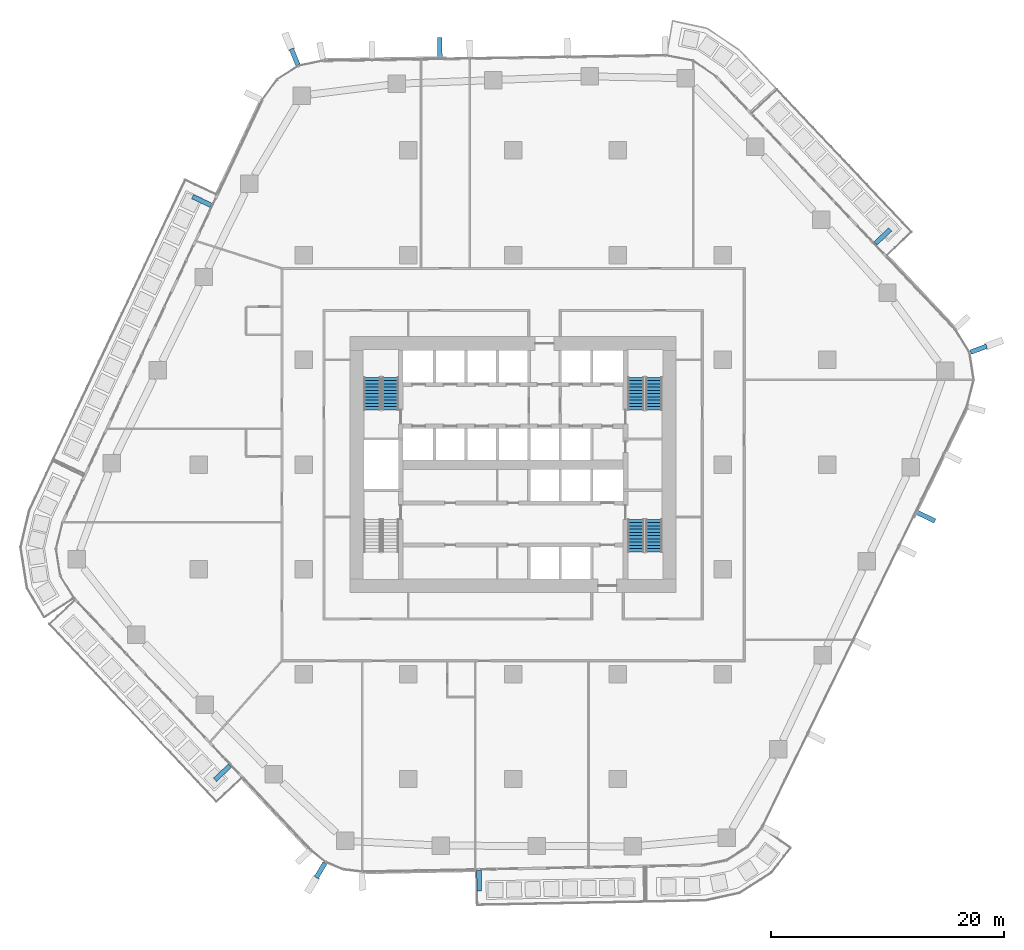
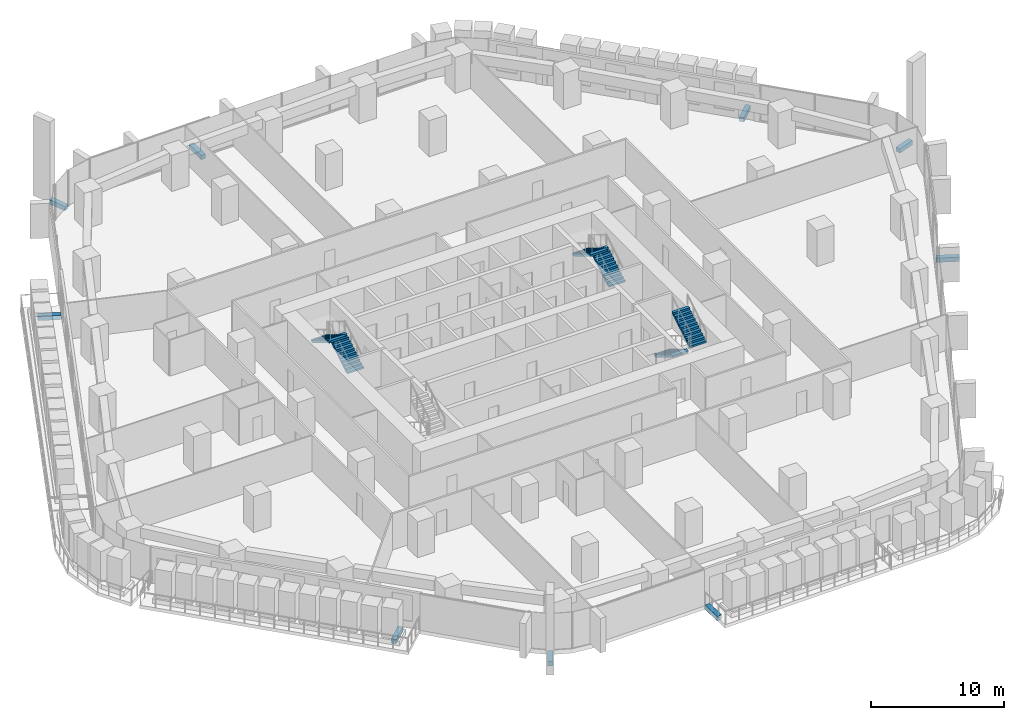
# One storey, part 18 of 25: 9 discrete accessories, 6 stair flights, 3 elements without a shape of their own.
"""IFC4 building model written with IfcOpenShell, lengths in metres."""

from ifc_helpers import new_model, si_unit, direction, frame, origin, origin_2d, place, context, subcontext, project, spatial, polyline, rectangle, outline, extrude, material, layer, layer_set, type_object, element, aggregate, save


model = new_model("IFC4")

# Units and contexts
model_context = context("Model", 3, precision=1e-05, world=origin(), true_north=direction((0.0, 1.0)))
body_context = subcontext(model_context, "Body", "Model", "MODEL_VIEW")
ifc_project = project(units=[si_unit("LENGTHUNIT", "METRE"), si_unit("AREAUNIT", "SQUARE_METRE"), si_unit("VOLUMEUNIT", "CUBIC_METRE"), si_unit("PLANEANGLEUNIT", "RADIAN"), si_unit("MASSUNIT", "GRAM", prefix="KILO")], contexts=[model_context])

# Site, building, storey
site_placement = place(None, origin())
site = spatial("IfcSite", under=ifc_project, at=site_placement, CompositionType="ELEMENT")
building_placement = place(site_placement, origin())
building = spatial("IfcBuilding", under=site, at=building_placement, Name="Dongbaek Canopy Tower", CompositionType="ELEMENT")
storey_placement = place(building_placement, frame((0.0, 0.0, 77.300048828125)))
storey = spatial("IfcBuildingStorey", under=building, at=storey_placement, Name="L15", CompositionType="ELEMENT", Elevation=77.300048828125)

# Stair, stair flights
ifc_material_1 = material(Name="Concrete C40/50", Category="concrete")
stair_type = type_object("IfcStairType", Name="Core exit stair", PredefinedType="HALF_TURN_STAIR", material=ifc_material_1)
stair_1_placement = place(storey_placement, origin())
stair_1 = element("IfcStair", 1, at=stair_1_placement, inside=storey, type_object=stair_type, Name="L15 exit stair A", PredefinedType="HALF_TURN_STAIR")
ifc_material_2 = material(Name="Concrete C40/50", Category="concrete")
ifc_layer = layer(ifc_material_2, 0.14990234375)
ifc_layer_set = layer_set([ifc_layer], Name="Core stair flight 150 waist")
stair_flight_type = type_object("IfcStairFlightType", Name="Core stair flight 150 waist", PredefinedType="STRAIGHT", material=ifc_layer_set)
stair_flight_1_placement = place(storey_placement, frame((12.10009765625, 4.699951171875, 0.0), z_axis=(0.0, 0.0, 1.0), x_axis=(0.0, 1.0, 0.0)))
stair_flight_1 = element("IfcStairFlight", 2, at=stair_flight_1_placement, type_object=stair_flight_type, Name="ST-A flight 1", NumberOfRisers=11, NumberOfTreads=10, PredefinedType="STRAIGHT", RiserHeight=0.168181818, TreadLength=0.28, context=body_context, shape_type="SweptSolid", body=[
    extrude(outline(polyline([(0.0, 0.0), (0.0, 0.168212890625), (0.280029296875, 0.168212890625), (0.280029296875, 0.33642578125), (0.56005859375, 0.33642578125), (0.56005859375, 0.504638671875), (0.840087890625, 0.504638671875), (0.840087890625, 0.672607421875), (1.1201171875, 0.672607421875), (1.1201171875, 0.8408203125), (1.39990234375, 0.8408203125), (1.39990234375, 1.009033203125), (1.679931640625, 1.009033203125), (1.679931640625, 1.17724609375), (1.9599609375, 1.17724609375), (1.9599609375, 1.345458984375), (2.239990234375, 1.345458984375), (2.239990234375, 1.513671875), (2.52001953125, 1.513671875), (2.52001953125, 1.681884765625), (2.800048828125, 1.681884765625), (2.800048828125, 1.85009765625), (2.800048828125, 1.5068359375), (0.291015625, 0.0), (0.0, 0.0)])), frame((0.0, 0.699951171875, 0.0), z_axis=(0.0, -1.0, 0.0), x_axis=(1.0, 0.0, 0.0)), (0.0, 0.0, 1.0), 1.39990234375),
])
stair_flight_2_placement = place(storey_placement, frame((10.550048828125, 7.5, 1.849853515625), z_axis=(0.0, 0.0, 1.0), x_axis=(0.0, -1.0, 0.0)))
stair_flight_2 = element("IfcStairFlight", 3, at=stair_flight_2_placement, type_object=stair_flight_type, Name="ST-A flight 2", NumberOfRisers=11, NumberOfTreads=10, PredefinedType="STRAIGHT", RiserHeight=0.168181818, TreadLength=0.28, context=body_context, shape_type="SweptSolid", body=[
    extrude(outline(polyline([(0.0, 0.0), (0.0, 0.168212890625), (0.280029296875, 0.168212890625), (0.280029296875, 0.33642578125), (0.56005859375, 0.33642578125), (0.56005859375, 0.504638671875), (0.840087890625, 0.504638671875), (0.840087890625, 0.672607421875), (1.1201171875, 0.672607421875), (1.1201171875, 0.8408203125), (1.39990234375, 0.8408203125), (1.39990234375, 1.009033203125), (1.679931640625, 1.009033203125), (1.679931640625, 1.17724609375), (1.9599609375, 1.17724609375), (1.9599609375, 1.345458984375), (2.239990234375, 1.345458984375), (2.239990234375, 1.513671875), (2.52001953125, 1.513671875), (2.52001953125, 1.681884765625), (2.800048828125, 1.681884765625), (2.800048828125, 1.85009765625), (2.800048828125, 1.5068359375), (0.291015625, 0.0), (0.0, 0.0)])), frame((0.0, 0.699951171875, 0.0), z_axis=(0.0, -1.0, 0.0), x_axis=(1.0, 0.0, 0.0)), (0.0, 0.0, 1.0), 1.39990234375),
])
aggregate(stair_1, [stair_flight_1, stair_flight_2])

stair_2_placement = place(storey_placement, origin())
stair_2 = element("IfcStair", 4, at=stair_2_placement, inside=storey, type_object=stair_type, Name="L15 exit stair C", PredefinedType="HALF_TURN_STAIR")
stair_flight_3_placement = place(storey_placement, frame((-10.550048828125, 4.699951171875, 0.0), z_axis=(0.0, 0.0, 1.0), x_axis=(0.0, 1.0, 0.0)))
stair_flight_3 = element("IfcStairFlight", 5, at=stair_flight_3_placement, type_object=stair_flight_type, Name="ST-C flight 1", NumberOfRisers=11, NumberOfTreads=10, PredefinedType="STRAIGHT", RiserHeight=0.168181818, TreadLength=0.28, context=body_context, shape_type="SweptSolid", body=[
    extrude(outline(polyline([(0.0, 0.0), (0.0, 0.168212890625), (0.280029296875, 0.168212890625), (0.280029296875, 0.33642578125), (0.56005859375, 0.33642578125), (0.56005859375, 0.504638671875), (0.840087890625, 0.504638671875), (0.840087890625, 0.672607421875), (1.1201171875, 0.672607421875), (1.1201171875, 0.8408203125), (1.39990234375, 0.8408203125), (1.39990234375, 1.009033203125), (1.679931640625, 1.009033203125), (1.679931640625, 1.17724609375), (1.9599609375, 1.17724609375), (1.9599609375, 1.345458984375), (2.239990234375, 1.345458984375), (2.239990234375, 1.513671875), (2.52001953125, 1.513671875), (2.52001953125, 1.681884765625), (2.800048828125, 1.681884765625), (2.800048828125, 1.85009765625), (2.800048828125, 1.5068359375), (0.291015625, 0.0), (0.0, 0.0)])), frame((0.0, 0.699951171875, 0.0), z_axis=(0.0, -1.0, 0.0), x_axis=(1.0, 0.0, 0.0)), (0.0, 0.0, 1.0), 1.39990234375),
])
stair_flight_4_placement = place(storey_placement, frame((-12.10009765625, 7.5, 1.849853515625), z_axis=(0.0, 0.0, 1.0), x_axis=(0.0, -1.0, 0.0)))
stair_flight_4 = element("IfcStairFlight", 6, at=stair_flight_4_placement, type_object=stair_flight_type, Name="ST-C flight 2", NumberOfRisers=11, NumberOfTreads=10, PredefinedType="STRAIGHT", RiserHeight=0.168181818, TreadLength=0.28, context=body_context, shape_type="SweptSolid", body=[
    extrude(outline(polyline([(0.0, 0.0), (0.0, 0.168212890625), (0.280029296875, 0.168212890625), (0.280029296875, 0.33642578125), (0.56005859375, 0.33642578125), (0.56005859375, 0.504638671875), (0.840087890625, 0.504638671875), (0.840087890625, 0.672607421875), (1.1201171875, 0.672607421875), (1.1201171875, 0.8408203125), (1.39990234375, 0.8408203125), (1.39990234375, 1.009033203125), (1.679931640625, 1.009033203125), (1.679931640625, 1.17724609375), (1.9599609375, 1.17724609375), (1.9599609375, 1.345458984375), (2.239990234375, 1.345458984375), (2.239990234375, 1.513671875), (2.52001953125, 1.513671875), (2.52001953125, 1.681884765625), (2.800048828125, 1.681884765625), (2.800048828125, 1.85009765625), (2.800048828125, 1.5068359375), (0.291015625, 0.0), (0.0, 0.0)])), frame((0.0, 0.699951171875, 0.0), z_axis=(0.0, -1.0, 0.0), x_axis=(1.0, 0.0, 0.0)), (0.0, 0.0, 1.0), 1.39990234375),
])
aggregate(stair_2, [stair_flight_3, stair_flight_4])

stair_3_placement = place(storey_placement, origin())
stair_3 = element("IfcStair", 7, at=stair_3_placement, inside=storey, type_object=stair_type, Name="L15 exit stair B", PredefinedType="HALF_TURN_STAIR")
stair_flight_5_placement = place(storey_placement, frame((10.550048828125, -4.699951171875, 0.0), z_axis=(0.0, 0.0, 1.0), x_axis=(0.0, -1.0, 0.0)))
stair_flight_5 = element("IfcStairFlight", 8, at=stair_flight_5_placement, type_object=stair_flight_type, Name="ST-B flight 1", NumberOfRisers=11, NumberOfTreads=10, PredefinedType="STRAIGHT", RiserHeight=0.168181818, TreadLength=0.28, context=body_context, shape_type="SweptSolid", body=[
    extrude(outline(polyline([(0.0, 0.0), (0.0, 0.168212890625), (0.280029296875, 0.168212890625), (0.280029296875, 0.33642578125), (0.56005859375, 0.33642578125), (0.56005859375, 0.504638671875), (0.840087890625, 0.504638671875), (0.840087890625, 0.672607421875), (1.1201171875, 0.672607421875), (1.1201171875, 0.8408203125), (1.39990234375, 0.8408203125), (1.39990234375, 1.009033203125), (1.679931640625, 1.009033203125), (1.679931640625, 1.17724609375), (1.9599609375, 1.17724609375), (1.9599609375, 1.345458984375), (2.239990234375, 1.345458984375), (2.239990234375, 1.513671875), (2.52001953125, 1.513671875), (2.52001953125, 1.681884765625), (2.800048828125, 1.681884765625), (2.800048828125, 1.85009765625), (2.800048828125, 1.5068359375), (0.291015625, 0.0), (0.0, 0.0)])), frame((0.0, 0.699951171875, 0.0), z_axis=(0.0, -1.0, 0.0), x_axis=(1.0, 0.0, 0.0)), (0.0, 0.0, 1.0), 1.39990234375),
])
stair_flight_6_placement = place(storey_placement, frame((12.10009765625, -7.5, 1.849853515625), z_axis=(0.0, 0.0, 1.0), x_axis=(0.0, 1.0, 0.0)))
stair_flight_6 = element("IfcStairFlight", 9, at=stair_flight_6_placement, type_object=stair_flight_type, Name="ST-B flight 2", NumberOfRisers=11, NumberOfTreads=10, PredefinedType="STRAIGHT", RiserHeight=0.168181818, TreadLength=0.28, context=body_context, shape_type="SweptSolid", body=[
    extrude(outline(polyline([(0.0, 0.0), (0.0, 0.168212890625), (0.280029296875, 0.168212890625), (0.280029296875, 0.33642578125), (0.56005859375, 0.33642578125), (0.56005859375, 0.504638671875), (0.840087890625, 0.504638671875), (0.840087890625, 0.672607421875), (1.1201171875, 0.672607421875), (1.1201171875, 0.8408203125), (1.39990234375, 0.8408203125), (1.39990234375, 1.009033203125), (1.679931640625, 1.009033203125), (1.679931640625, 1.17724609375), (1.9599609375, 1.17724609375), (1.9599609375, 1.345458984375), (2.239990234375, 1.345458984375), (2.239990234375, 1.513671875), (2.52001953125, 1.513671875), (2.52001953125, 1.681884765625), (2.800048828125, 1.681884765625), (2.800048828125, 1.85009765625), (2.800048828125, 1.5068359375), (0.291015625, 0.0), (0.0, 0.0)])), frame((0.0, 0.699951171875, 0.0), z_axis=(0.0, -1.0, 0.0), x_axis=(1.0, 0.0, 0.0)), (0.0, 0.0, 1.0), 1.39990234375),
])
aggregate(stair_3, [stair_flight_5, stair_flight_6])

# Discrete accessories
ifc_material_3 = material(Name="Galvanised steel S355 bracket", Category="steel")
discrete_accessory_type = type_object("IfcDiscreteAccessoryType", Name="Crease fin bracket BR3 400", PredefinedType="BRACKET", material=ifc_material_3)
discrete_accessory_1_placement = place(storey_placement, frame((35.442626953125, -4.46142578125, -0.39990234375), z_axis=(0.0, 0.0, 1.0), x_axis=(0.899092227835, -0.437759255582, 0.0)))
element("IfcDiscreteAccessory", 10, at=discrete_accessory_1_placement, inside=storey, type_object=discrete_accessory_type, Name="Crease fin bracket L15 F5", PredefinedType="BRACKET", context=body_context, shape_type="SweptSolid", body=[
    extrude(rectangle(XDim=1.74365234375, YDim=0.39990234375, at=origin_2d()), origin(), (0.0, 0.0, 1.0), 0.39990234375),
])
discrete_accessory_2_placement = place(storey_placement, frame((31.755126953125, 19.597412109375, -0.39990234375), z_axis=(0.0, 0.0, 1.0), x_axis=(0.726652613901, 0.687005079101, 0.0)))
element("IfcDiscreteAccessory", 11, at=discrete_accessory_2_placement, inside=storey, type_object=discrete_accessory_type, Name="Crease fin bracket L15 F0", PredefinedType="BRACKET", context=body_context, shape_type="SweptSolid", body=[
    extrude(rectangle(XDim=1.734619140625, YDim=0.39990234375, at=origin_2d()), origin(), (0.0, 0.0, 1.0), 0.39990234375),
])
discrete_accessory_3_placement = place(storey_placement, frame((-6.29541015625, 35.8232421875, -0.39990234375), z_axis=(0.0, 0.0, 1.0), x_axis=(-0.015773631607, 0.999875588534, 0.0)))
element("IfcDiscreteAccessory", 12, at=discrete_accessory_3_placement, inside=storey, type_object=discrete_accessory_type, Name="Crease fin bracket L15 F1", PredefinedType="BRACKET", context=body_context, shape_type="SweptSolid", body=[
    extrude(rectangle(XDim=1.74169921875, YDim=0.39990234375, at=origin_2d()), origin(), (0.0, 0.0, 1.0), 0.39990234375),
])
discrete_accessory_4_placement = place(storey_placement, frame((-26.736083984375, 22.64892578125, -0.39990234375), z_axis=(0.0, 0.0, 1.0), x_axis=(-0.904177254233, 0.427157456832, 0.0)))
element("IfcDiscreteAccessory", 13, at=discrete_accessory_4_placement, inside=storey, type_object=discrete_accessory_type, Name="Crease fin bracket L15 F2", PredefinedType="BRACKET", context=body_context, shape_type="SweptSolid", body=[
    extrude(rectangle(XDim=1.7578125, YDim=0.39990234375, at=origin_2d()), origin(), (0.0, 0.0, 1.0), 0.39990234375),
])
discrete_accessory_5_placement = place(storey_placement, frame((-24.969482421875, -26.464599609375, -0.39990234375), z_axis=(0.0, 0.0, 1.0), x_axis=(-0.728584995048, -0.684955403651, 0.0)))
element("IfcDiscreteAccessory", 14, at=discrete_accessory_5_placement, inside=storey, type_object=discrete_accessory_type, Name="Crease fin bracket L15 F3", PredefinedType="BRACKET", context=body_context, shape_type="SweptSolid", body=[
    extrude(rectangle(XDim=1.770263671875, YDim=0.39990234375, at=origin_2d()), origin(), (0.0, 0.0, 1.0), 0.39990234375),
])
discrete_accessory_6_placement = place(storey_placement, frame((-2.920166015625, -35.74658203125, -0.39990234375), z_axis=(0.0, 0.0, 1.0), x_axis=(0.018951395748, -0.999820406173, 0.0)))
element("IfcDiscreteAccessory", 15, at=discrete_accessory_6_placement, inside=storey, type_object=discrete_accessory_type, Name="Crease fin bracket L15 F4", PredefinedType="BRACKET", context=body_context, shape_type="SweptSolid", body=[
    extrude(rectangle(XDim=1.76220703125, YDim=0.39990234375, at=origin_2d()), origin(), (0.0, 0.0, 1.0), 0.39990234375),
])
for number, where, z_axis, x_axis, name in (
    (16, (39.9814453125, 9.91650390625, -0.39990234375), (0.0, 0.0, 1.0), (0.938038410141, 0.346531298875, 0.0), "Corner fin bracket L15 K0"),
    (17, (-18.7666015625, 35.03173828125, -0.39990234375), (0.0, 0.0, 1.0), (-0.377412519931, 0.926045241767, 0.0), "Corner fin bracket L15 K2"),
    (18, (-16.53271484375, -34.841064453125, -0.39990234375), (0.0, 0.0, 1.0), (-0.512291705237, -0.858811509439, 0.0), "Corner fin bracket L15 K4"),
):
    element("IfcDiscreteAccessory", number, at=place(storey_placement, frame(where, z_axis=z_axis, x_axis=x_axis)), inside=storey, type_object=discrete_accessory_type, Name=name, PredefinedType="BRACKET", context=body_context, shape_type="SweptSolid", body=[
        extrude(rectangle(XDim=1.469970703125, YDim=0.39990234375, at=origin_2d()), origin(), (0.0, 0.0, 1.0), 0.39990234375),
    ])

save(model, "model.ifc")
